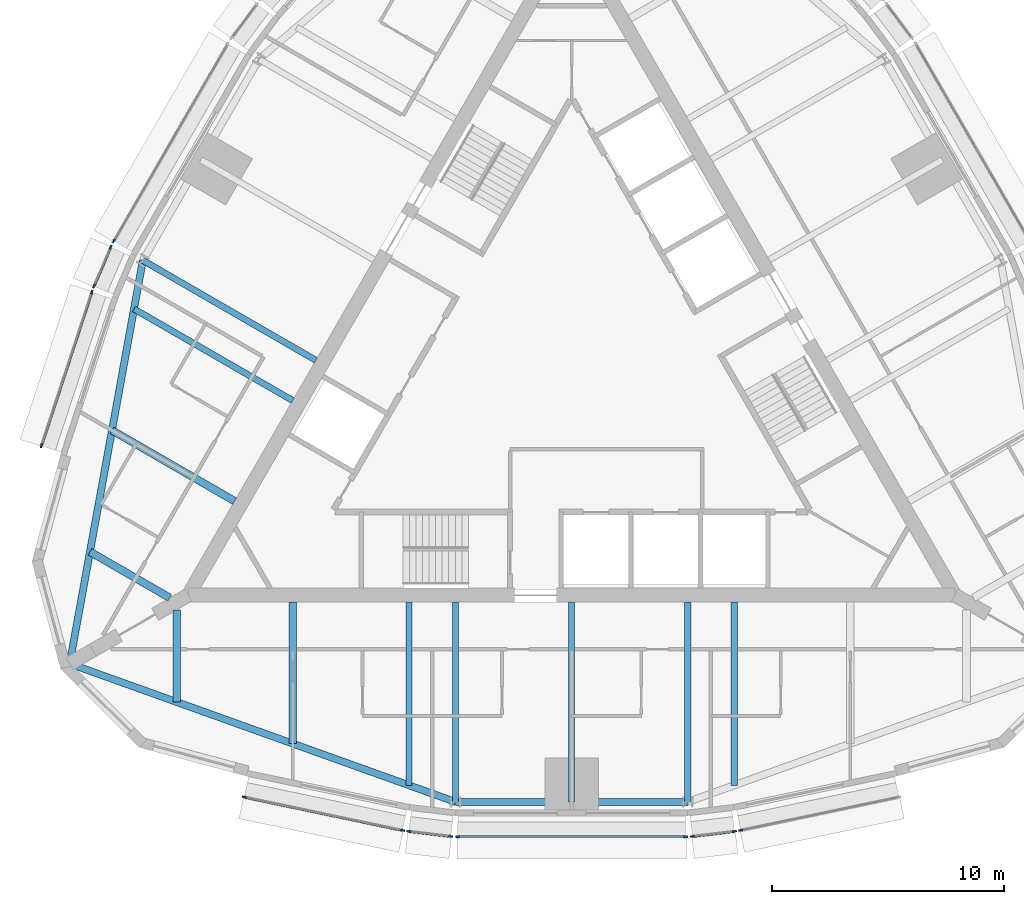
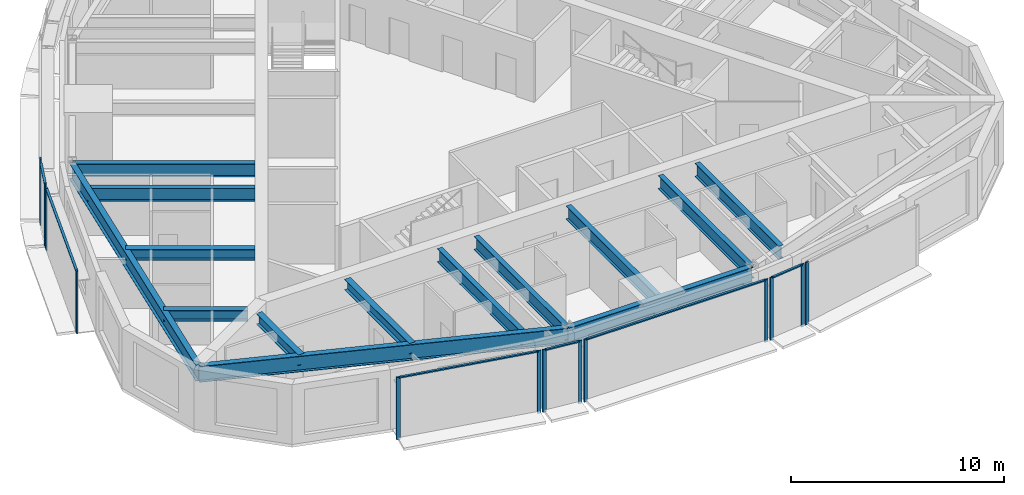
# One storey, part 2 of 12: 20 members, 14 beams, 8 elements without a shape of their own.
"""IFC4 building model written with IfcOpenShell, lengths in metres."""

from ifc_helpers import new_model, si_unit, direction, frame, origin, origin_2d, place, context, subcontext, project, spatial, rectangle, i_section, extrude, material, material_profile, profile_set, type_object, element, aggregate, save


model = new_model("IFC4")

# Units and contexts
model_context = context("Model", 3, precision=1e-05, world=origin(), true_north=direction((0.0, 1.0)))
body_context = subcontext(model_context, "Body", "Model", "MODEL_VIEW")
ifc_project = project(units=[si_unit("LENGTHUNIT", "METRE"), si_unit("AREAUNIT", "SQUARE_METRE"), si_unit("VOLUMEUNIT", "CUBIC_METRE"), si_unit("PLANEANGLEUNIT", "RADIAN"), si_unit("MASSUNIT", "GRAM", prefix="KILO")], contexts=[model_context])

# Site, building, storey
site_placement = place(None, origin())
site = spatial("IfcSite", under=ifc_project, at=site_placement, CompositionType="ELEMENT")
building_placement = place(site_placement, origin())
building = spatial("IfcBuilding", under=site, at=building_placement, Name="Trikona Tower", CompositionType="ELEMENT")
storey_placement = place(building_placement, frame((0.0, 0.0, 264.5)))
storey = spatial("IfcBuildingStorey", under=building, at=storey_placement, Name="L70", CompositionType="ELEMENT", Elevation=264.5)

# Curtain wall, members
ifc_material_1 = material(Name="Aluminium curtain wall system", Category="aluminium")
curtain_wall_type = type_object("IfcCurtainWallType", Name="Curtain wall DS3", PredefinedType="NOTDEFINED", material=ifc_material_1)
curtain_wall_1_placement = place(storey_placement, origin())
curtain_wall_1 = element("IfcCurtainWall", 1, at=curtain_wall_1_placement, inside=storey, type_object=curtain_wall_type, Name="Curtain wall DS3 L70", PredefinedType="NOTDEFINED")
ifc_material_2 = material(Name="Aluminium mullion, pale anodised", Category="aluminium")
ifc_material_profile_1 = material_profile(ifc_material_2, rectangle(XDim=0.070068359375, YDim=0.179931640625, at=origin_2d()), Name="MUL-DS3")
ifc_profile_set_1 = profile_set([ifc_material_profile_1], Name="Aluminium mullion, pale anodised")
member_type_1 = type_object("IfcMemberType", Name="Mullion DS3 70x180", PredefinedType="MULLION", material=ifc_profile_set_1)
member_1_placement = place(storey_placement, frame((-14.092041015625, -18.220703125, 0.0), z_axis=(0.0, 0.0, 1.0), x_axis=(0.205527448396, 0.978651351583, 0.0)))
member_1 = element("IfcMember", 2, at=member_1_placement, type_object=member_type_1, Name="CW-DS3 mullion 1", PredefinedType="MULLION", context=body_context, shape_type="SweptSolid", body=[
    extrude(rectangle(XDim=0.070068359375, YDim=0.179931640625, at=origin_2d()), origin(), (0.0, 0.0, 1.0), 3.60009765625),
])
member_2_placement = place(storey_placement, frame((-7.27783203125, -19.65185546875, 0.0), z_axis=(0.0, 0.0, 1.0), x_axis=(0.205527448396, 0.978651351583, 0.0)))
member_2 = element("IfcMember", 3, at=member_2_placement, type_object=member_type_1, Name="CW-DS3 mullion 2", PredefinedType="MULLION", context=body_context, shape_type="SweptSolid", body=[
    extrude(rectangle(XDim=0.070068359375, YDim=0.179931640625, at=origin_2d()), origin(), (0.0, 0.0, 1.0), 3.60009765625),
])

curtain_wall_2_placement = place(storey_placement, origin())
curtain_wall_2 = element("IfcCurtainWall", 4, at=curtain_wall_2_placement, inside=storey, type_object=curtain_wall_type, Name="Curtain wall DS3 L70", PredefinedType="NOTDEFINED")
member_3_placement = place(storey_placement, frame((-7.012939453125, -19.6953125, 0.0), z_axis=(0.0, 0.0, 1.0), x_axis=(0.119141057581, 0.992877338043, 0.0)))
member_3 = element("IfcMember", 5, at=member_3_placement, type_object=member_type_1, Name="CW-DS3 mullion 1", PredefinedType="MULLION", context=body_context, shape_type="SweptSolid", body=[
    extrude(rectangle(XDim=0.070068359375, YDim=0.179931640625, at=origin_2d()), origin(), (0.0, 0.0, 1.0), 3.60009765625),
])
member_4_placement = place(storey_placement, frame((-5.20166015625, -19.912841796875, 0.0), z_axis=(0.0, 0.0, 1.0), x_axis=(0.119141057581, 0.992877338043, 0.0)))
member_4 = element("IfcMember", 6, at=member_4_placement, type_object=member_type_1, Name="CW-DS3 mullion 2", PredefinedType="MULLION", context=body_context, shape_type="SweptSolid", body=[
    extrude(rectangle(XDim=0.070068359375, YDim=0.179931640625, at=origin_2d()), origin(), (0.0, 0.0, 1.0), 3.60009765625),
])

curtain_wall_3_placement = place(storey_placement, origin())
curtain_wall_3 = element("IfcCurtainWall", 7, at=curtain_wall_3_placement, inside=storey, type_object=curtain_wall_type, Name="Curtain wall DS3 L70", PredefinedType="NOTDEFINED")
member_5_placement = place(storey_placement, frame((-4.905029296875, -19.930419921875, 0.0), z_axis=(0.0, 0.0, 1.0), x_axis=(0.0, 1.0, 0.0)))
member_5 = element("IfcMember", 8, at=member_5_placement, type_object=member_type_1, Name="CW-DS3 mullion 1", PredefinedType="MULLION", context=body_context, shape_type="SweptSolid", body=[
    extrude(rectangle(XDim=0.070068359375, YDim=0.179931640625, at=origin_2d()), origin(), (0.0, 0.0, 1.0), 3.60009765625),
])
member_6_placement = place(storey_placement, frame((4.905029296875, -19.930419921875, 0.0), z_axis=(0.0, 0.0, 1.0), x_axis=(0.0, 1.0, 0.0)))
member_6 = element("IfcMember", 9, at=member_6_placement, type_object=member_type_1, Name="CW-DS3 mullion 2", PredefinedType="MULLION", context=body_context, shape_type="SweptSolid", body=[
    extrude(rectangle(XDim=0.070068359375, YDim=0.179931640625, at=origin_2d()), origin(), (0.0, 0.0, 1.0), 3.60009765625),
])

curtain_wall_4_placement = place(storey_placement, origin())
curtain_wall_4 = element("IfcCurtainWall", 10, at=curtain_wall_4_placement, inside=storey, type_object=curtain_wall_type, Name="Curtain wall DS3 L70", PredefinedType="NOTDEFINED")
member_7_placement = place(storey_placement, frame((5.20166015625, -19.912841796875, 0.0), z_axis=(0.0, 0.0, 1.0), x_axis=(-0.119141057581, 0.992877338043, 0.0)))
member_7 = element("IfcMember", 11, at=member_7_placement, type_object=member_type_1, Name="CW-DS3 mullion 1", PredefinedType="MULLION", context=body_context, shape_type="SweptSolid", body=[
    extrude(rectangle(XDim=0.070068359375, YDim=0.179931640625, at=origin_2d()), origin(), (0.0, 0.0, 1.0), 3.60009765625),
])
member_8_placement = place(storey_placement, frame((7.012939453125, -19.6953125, 0.0), z_axis=(0.0, 0.0, 1.0), x_axis=(-0.119141057581, 0.992877338043, 0.0)))
member_8 = element("IfcMember", 12, at=member_8_placement, type_object=member_type_1, Name="CW-DS3 mullion 2", PredefinedType="MULLION", context=body_context, shape_type="SweptSolid", body=[
    extrude(rectangle(XDim=0.070068359375, YDim=0.179931640625, at=origin_2d()), origin(), (0.0, 0.0, 1.0), 3.60009765625),
])

# Curtain wall, member
curtain_wall_5_placement = place(storey_placement, origin())
curtain_wall_5 = element("IfcCurtainWall", 13, at=curtain_wall_5_placement, inside=storey, type_object=curtain_wall_type, Name="Curtain wall DS3 L70", PredefinedType="NOTDEFINED")
member_9_placement = place(storey_placement, frame((7.27783203125, -19.65185546875, 0.0), z_axis=(0.0, 0.0, 1.0), x_axis=(-0.205527448396, 0.978651351583, 0.0)))
member_9 = element("IfcMember", 14, at=member_9_placement, type_object=member_type_1, Name="CW-DS3 mullion 1", PredefinedType="MULLION", context=body_context, shape_type="SweptSolid", body=[
    extrude(rectangle(XDim=0.070068359375, YDim=0.179931640625, at=origin_2d()), origin(), (0.0, 0.0, 1.0), 3.60009765625),
])
aggregate(curtain_wall_5, [member_9])

curtain_wall_6_placement = place(storey_placement, origin())
curtain_wall_6 = element("IfcCurtainWall", 15, at=curtain_wall_6_placement, inside=storey, type_object=curtain_wall_type, Name="Curtain wall DS3 L70", PredefinedType="NOTDEFINED")
member_10_placement = place(storey_placement, frame((-19.712890625, 5.717529296875, 0.0), z_axis=(0.0, 0.0, 1.0), x_axis=(0.866024619633, -0.500001358187, 0.0)))
member_10 = element("IfcMember", 16, at=member_10_placement, type_object=member_type_1, Name="CW-DS3 mullion 2", PredefinedType="MULLION", context=body_context, shape_type="SweptSolid", body=[
    extrude(rectangle(XDim=0.070068359375, YDim=0.179931640625, at=origin_2d()), origin(), (0.0, 0.0, 1.0), 3.60009765625),
])
aggregate(curtain_wall_6, [member_10])

# Curtain wall, members
curtain_wall_7_placement = place(storey_placement, origin())
curtain_wall_7 = element("IfcCurtainWall", 17, at=curtain_wall_7_placement, inside=storey, type_object=curtain_wall_type, Name="Curtain wall DS3 L70", PredefinedType="NOTDEFINED")
member_11_placement = place(storey_placement, frame((-19.845703125, 5.45166015625, 0.0), z_axis=(0.0, 0.0, 1.0), x_axis=(0.919420580163, -0.393275726143, 0.0)))
member_11 = element("IfcMember", 18, at=member_11_placement, type_object=member_type_1, Name="CW-DS3 mullion 1", PredefinedType="MULLION", context=body_context, shape_type="SweptSolid", body=[
    extrude(rectangle(XDim=0.070068359375, YDim=0.179931640625, at=origin_2d()), origin(), (0.0, 0.0, 1.0), 3.60009765625),
])
member_12_placement = place(storey_placement, frame((-20.563232421875, 3.7744140625, 0.0), z_axis=(0.0, 0.0, 1.0), x_axis=(0.919420580163, -0.393275726143, 0.0)))
member_12 = element("IfcMember", 19, at=member_12_placement, type_object=member_type_1, Name="CW-DS3 mullion 2", PredefinedType="MULLION", context=body_context, shape_type="SweptSolid", body=[
    extrude(rectangle(XDim=0.070068359375, YDim=0.179931640625, at=origin_2d()), origin(), (0.0, 0.0, 1.0), 3.60009765625),
])

curtain_wall_8_placement = place(storey_placement, origin())
curtain_wall_8 = element("IfcCurtainWall", 20, at=curtain_wall_8_placement, inside=storey, type_object=curtain_wall_type, Name="Curtain wall DS3 L70", PredefinedType="NOTDEFINED")
member_13_placement = place(storey_placement, frame((-20.657958984375, 3.52294921875, 0.0), z_axis=(0.0, 0.0, 1.0), x_axis=(0.95029742275, -0.311343553515, 0.0)))
member_13 = element("IfcMember", 21, at=member_13_placement, type_object=member_type_1, Name="CW-DS3 mullion 1", PredefinedType="MULLION", context=body_context, shape_type="SweptSolid", body=[
    extrude(rectangle(XDim=0.070068359375, YDim=0.179931640625, at=origin_2d()), origin(), (0.0, 0.0, 1.0), 3.60009765625),
])
member_14_placement = place(storey_placement, frame((-22.82568359375, -3.09375, 0.0), z_axis=(0.0, 0.0, 1.0), x_axis=(0.95029742275, -0.311343553515, 0.0)))
member_14 = element("IfcMember", 22, at=member_14_placement, type_object=member_type_1, Name="CW-DS3 mullion 2", PredefinedType="MULLION", context=body_context, shape_type="SweptSolid", body=[
    extrude(rectangle(XDim=0.070068359375, YDim=0.179931640625, at=origin_2d()), origin(), (0.0, 0.0, 1.0), 3.60009765625),
])

# Beams
ifc_material_3 = material(Name="Steel ASTM A992 Grade 50", Category="steel")
ifc_material_profile_2 = material_profile(ifc_material_3, i_section(OverallWidth=0.3251953125, OverallDepth=0.612060546875, WebThickness=0.0126953125, FlangeThickness=0.01904296875, at=origin_2d()), Name="W24X104")
ifc_profile_set_2 = profile_set([ifc_material_profile_2], Name="Steel ASTM A992 Grade 50")
beam_type_1 = type_object("IfcBeamType", Name="Steel beam W24x104 (wedge upper)", PredefinedType="BEAM", material=ifc_profile_set_2)
beam_1_placement = place(storey_placement, frame((-17.0, -10.161376953125, 3.12890625), z_axis=(0.0, -1.0, 0.0), x_axis=(1.0, 0.0, 0.0)))
element("IfcBeam", 23, at=beam_1_placement, inside=storey, type_object=beam_type_1, Name="Floor beam L71 F1 u-17", PredefinedType="BEAM", context=body_context, shape_type="SweptSolid", body=[
    extrude(i_section(OverallWidth=0.3251953125, OverallDepth=0.612060546875, WebThickness=0.0126953125, FlangeThickness=0.01904296875, at=origin_2d()), origin(), (0.0, 0.0, 1.0), 3.9677734375),
])
beam_2_placement = place(storey_placement, frame((-12.0, -9.826416015625, 3.12890625), z_axis=(0.0, -1.0, 0.0), x_axis=(1.0, 0.0, 0.0)))
element("IfcBeam", 24, at=beam_2_placement, inside=storey, type_object=beam_type_1, Name="Floor beam L71 F1 u-12", PredefinedType="BEAM", context=body_context, shape_type="SweptSolid", body=[
    extrude(i_section(OverallWidth=0.3251953125, OverallDepth=0.612060546875, WebThickness=0.0126953125, FlangeThickness=0.01904296875, at=origin_2d()), origin(), (0.0, 0.0, 1.0), 6.094970703125),
])
beam_3_placement = place(storey_placement, frame((-14.509765625, -5.479248046875, 3.12890625), z_axis=(-0.866023498866, 0.500003299401, 0.0), x_axis=(-0.500003299401, -0.866023498866, 0.0)))
element("IfcBeam", 25, at=beam_3_placement, inside=storey, type_object=beam_type_1, Name="Floor beam L71 F3 u12", PredefinedType="BEAM", context=body_context, shape_type="SweptSolid", body=[
    extrude(i_section(OverallWidth=0.3251953125, OverallDepth=0.612060546875, WebThickness=0.0126953125, FlangeThickness=0.01904296875, at=origin_2d()), origin(), (0.0, 0.0, 1.0), 6.09521484375),
])
beam_4_placement = place(storey_placement, frame((-17.300048828125, -9.6416015625, 3.12890625), z_axis=(-0.866030866614, 0.499990537983, 0.0), x_axis=(-0.499990537983, -0.866030866614, 0.0)))
element("IfcBeam", 26, at=beam_4_placement, inside=storey, type_object=beam_type_1, Name="Floor beam L71 F3 u17", PredefinedType="BEAM", context=body_context, shape_type="SweptSolid", body=[
    extrude(i_section(OverallWidth=0.3251953125, OverallDepth=0.612060546875, WebThickness=0.0126953125, FlangeThickness=0.01904296875, at=origin_2d()), origin(), (0.0, 0.0, 1.0), 3.9677734375),
])
ifc_material_4 = material(Name="Steel ASTM A992 Grade 50", Category="steel")
ifc_material_profile_3 = material_profile(ifc_material_4, i_section(OverallWidth=0.2666015625, OverallDepth=0.7568359375, WebThickness=0.013916015625, FlangeThickness=0.019287109375, at=origin_2d()), Name="W30X108")
ifc_profile_set_3 = profile_set([ifc_material_profile_3], Name="Steel ASTM A992 Grade 50")
beam_type_2 = type_object("IfcBeamType", Name="Steel beam W30x108 (radial upper)", PredefinedType="BEAM", material=ifc_profile_set_3)
beam_5_placement = place(storey_placement, frame((-7.0, -9.826416015625, 3.056396484375), z_axis=(0.0, -1.0, 0.0), x_axis=(1.0, 0.0, 0.0)))
element("IfcBeam", 27, at=beam_5_placement, inside=storey, type_object=beam_type_2, Name="Floor beam L71 F1 u-7", PredefinedType="BEAM", context=body_context, shape_type="SweptSolid", body=[
    extrude(i_section(OverallWidth=0.2666015625, OverallDepth=0.7568359375, WebThickness=0.013916015625, FlangeThickness=0.019287109375, at=origin_2d()), origin(), (0.0, 0.0, 1.0), 7.88720703125),
])
for number, where, z_axis, x_axis, name in (
    (28, (-5.0, -9.826416015625, 3.056396484375), (0.0, -1.0, 0.0), (1.0, 0.0, 0.0), "Floor beam L71 F1 u-5"),
    (29, (0.0, -9.826416015625, 3.056396484375), (0.0, -1.0, 0.0), (1.0, 0.0, 0.0), "Floor beam L71 F1 u0"),
    (30, (5.0, -9.826416015625, 3.056396484375), (0.0, -1.0, 0.0), (1.0, 0.0, 0.0), "Floor beam L71 F1 u5"),
):
    element("IfcBeam", number, at=place(storey_placement, frame(where, z_axis=z_axis, x_axis=x_axis)), inside=storey, type_object=beam_type_2, Name=name, PredefinedType="BEAM", context=body_context, shape_type="SweptSolid", body=[
        extrude(i_section(OverallWidth=0.2666015625, OverallDepth=0.7568359375, WebThickness=0.013916015625, FlangeThickness=0.019287109375, at=origin_2d()), origin(), (0.0, 0.0, 1.0), 8.60400390625),
    ])
beam_6_placement = place(storey_placement, frame((7.0, -9.826416015625, 3.056396484375), z_axis=(0.0, -1.0, 0.0), x_axis=(1.0, 0.0, 0.0)))
element("IfcBeam", 31, at=beam_6_placement, inside=storey, type_object=beam_type_2, Name="Floor beam L71 F1 u7", PredefinedType="BEAM", context=body_context, shape_type="SweptSolid", body=[
    extrude(i_section(OverallWidth=0.2666015625, OverallDepth=0.7568359375, WebThickness=0.013916015625, FlangeThickness=0.019287109375, at=origin_2d()), origin(), (0.0, 0.0, 1.0), 7.88720703125),
])
beam_7_placement = place(storey_placement, frame((-11.009765625, 0.5830078125, 3.056396484375), z_axis=(-0.866029182723, 0.49999345463, 0.0), x_axis=(-0.49999345463, -0.866029182723, 0.0)))
element("IfcBeam", 32, at=beam_7_placement, inside=storey, type_object=beam_type_2, Name="Floor beam L71 F3 u5", PredefinedType="BEAM", context=body_context, shape_type="SweptSolid", body=[
    extrude(i_section(OverallWidth=0.2666015625, OverallDepth=0.7568359375, WebThickness=0.013916015625, FlangeThickness=0.019287109375, at=origin_2d()), origin(), (0.0, 0.0, 1.0), 8.60400390625),
])
beam_8_placement = place(storey_placement, frame((-12.009765625, -1.14892578125, 3.056396484375), z_axis=(-0.866034560358, 0.499984140014, 0.0), x_axis=(-0.499984140014, -0.866034560358, 0.0)))
element("IfcBeam", 33, at=beam_8_placement, inside=storey, type_object=beam_type_2, Name="Floor beam L71 F3 u7", PredefinedType="BEAM", context=body_context, shape_type="SweptSolid", body=[
    extrude(i_section(OverallWidth=0.2666015625, OverallDepth=0.7568359375, WebThickness=0.013916015625, FlangeThickness=0.019287109375, at=origin_2d()), origin(), (0.0, 0.0, 1.0), 7.887451171875),
])
ifc_material_5 = material(Name="Steel ASTM A992 Grade 50", Category="steel")
ifc_material_profile_4 = material_profile(ifc_material_5, i_section(OverallWidth=0.3046875, OverallDepth=0.911865234375, WebThickness=0.015869140625, FlangeThickness=0.02392578125, at=origin_2d()), Name="W36X150")
ifc_profile_set_4 = profile_set([ifc_material_profile_4], Name="Steel ASTM A992 Grade 50")
beam_type_3 = type_object("IfcBeamType", Name="Steel beam W36x150 (spandrel upper)", PredefinedType="SPANDREL", material=ifc_profile_set_4)
beam_9_placement = place(storey_placement, frame((-21.6103515625, -12.476806640625, 2.97900390625), z_axis=(0.941358144832, -0.337409014637, 0.0), x_axis=(0.337409014637, 0.941358144832, 0.0)))
element("IfcBeam", 34, at=beam_9_placement, inside=storey, type_object=beam_type_3, Name="Spandrel beam L71 F1-1", PredefinedType="SPANDREL", context=body_context, shape_type="SweptSolid", body=[
    extrude(i_section(OverallWidth=0.3046875, OverallDepth=0.911865234375, WebThickness=0.015869140625, FlangeThickness=0.02392578125, at=origin_2d()), origin(), (0.0, 0.0, 1.0), 17.64501953125),
])
beam_10_placement = place(storey_placement, frame((-5.0, -18.430419921875, 2.97900390625), z_axis=(1.0, 0.0, 0.0), x_axis=(0.0, 1.0, 0.0)))
element("IfcBeam", 35, at=beam_10_placement, inside=storey, type_object=beam_type_3, Name="Spandrel beam L71 F1-2", PredefinedType="SPANDREL", context=body_context, shape_type="SweptSolid", body=[
    extrude(i_section(OverallWidth=0.3046875, OverallDepth=0.911865234375, WebThickness=0.015869140625, FlangeThickness=0.02392578125, at=origin_2d()), origin(), (0.0, 0.0, 1.0), 10.0),
])
beam_11_placement = place(storey_placement, frame((-18.461181640625, 4.885009765625, 2.97900390625), z_axis=(-0.178472662054, -0.983944870864, 0.0), x_axis=(0.983944870864, -0.178472662054, 0.0)))
element("IfcBeam", 36, at=beam_11_placement, inside=storey, type_object=beam_type_3, Name="Spandrel beam L71 F3-3", PredefinedType="SPANDREL", context=body_context, shape_type="SweptSolid", body=[
    extrude(i_section(OverallWidth=0.3046875, OverallDepth=0.911865234375, WebThickness=0.015869140625, FlangeThickness=0.02392578125, at=origin_2d()), origin(), (0.0, 0.0, 1.0), 17.64501953125),
])

# Member
ifc_material_6 = material(Name="Aluminium transom, pale anodised", Category="aluminium")
ifc_material_profile_5 = material_profile(ifc_material_6, rectangle(XDim=0.1201171875, YDim=0.070068359375, at=origin_2d()), Name="TRN-DS3")
ifc_profile_set_5 = profile_set([ifc_material_profile_5], Name="Aluminium transom, pale anodised")
member_type_2 = type_object("IfcMemberType", Name="Transom DS3 70x120", PredefinedType="USERDEFINED", material=ifc_profile_set_5)
member_15_placement = place(storey_placement, frame((-14.0576171875, -18.22802734375, 3.56494140625), z_axis=(0.978654137783, -0.205514181021, 0.0), x_axis=(0.205514181021, 0.978654137783, 0.0)))
member_15 = element("IfcMember", 37, at=member_15_placement, type_object=member_type_2, Name="CW-DS3 transom 1.1", ObjectType="TRANSOM", PredefinedType="USERDEFINED", context=body_context, shape_type="SweptSolid", body=[
    extrude(rectangle(XDim=0.1201171875, YDim=0.070068359375, at=origin_2d()), origin(), (0.0, 0.0, 1.0), 6.892578125),
])

aggregate(curtain_wall_1, [member_1, member_2, member_15])

member_16_placement = place(storey_placement, frame((-6.978271484375, -19.699462890625, 3.56494140625), z_axis=(0.992880130449, -0.119117784396, 0.0), x_axis=(0.119117784396, 0.992880130449, 0.0)))
member_16 = element("IfcMember", 38, at=member_16_placement, type_object=member_type_2, Name="CW-DS3 transom 1.1", ObjectType="TRANSOM", PredefinedType="USERDEFINED", context=body_context, shape_type="SweptSolid", body=[
    extrude(rectangle(XDim=0.1201171875, YDim=0.070068359375, at=origin_2d()), origin(), (0.0, 0.0, 1.0), 1.75439453125),
])

aggregate(curtain_wall_2, [member_3, member_4, member_16])

member_17_placement = place(storey_placement, frame((-4.8701171875, -19.930419921875, 3.56494140625), z_axis=(1.0, 0.0, 0.0), x_axis=(0.0, 1.0, 0.0)))
member_17 = element("IfcMember", 39, at=member_17_placement, type_object=member_type_2, Name="CW-DS3 transom 1.1", ObjectType="TRANSOM", PredefinedType="USERDEFINED", context=body_context, shape_type="SweptSolid", body=[
    extrude(rectangle(XDim=0.1201171875, YDim=0.070068359375, at=origin_2d()), origin(), (0.0, 0.0, 1.0), 9.740234375),
])

aggregate(curtain_wall_3, [member_5, member_6, member_17])

member_18_placement = place(storey_placement, frame((5.236328125, -19.908447265625, 3.56494140625), z_axis=(0.992880130449, 0.119117784396, 0.0), x_axis=(-0.119117784396, 0.992880130449, 0.0)))
member_18 = element("IfcMember", 40, at=member_18_placement, type_object=member_type_2, Name="CW-DS3 transom 1.1", ObjectType="TRANSOM", PredefinedType="USERDEFINED", context=body_context, shape_type="SweptSolid", body=[
    extrude(rectangle(XDim=0.1201171875, YDim=0.070068359375, at=origin_2d()), origin(), (0.0, 0.0, 1.0), 1.75439453125),
])

aggregate(curtain_wall_4, [member_7, member_8, member_18])

member_19_placement = place(storey_placement, frame((-19.859619140625, 5.41943359375, 3.56494140625), z_axis=(-0.393314512783, -0.919403988481, 0.0), x_axis=(0.919403988481, -0.393314512783, 0.0)))
member_19 = element("IfcMember", 41, at=member_19_placement, type_object=member_type_2, Name="CW-DS3 transom 1.1", ObjectType="TRANSOM", PredefinedType="USERDEFINED", context=body_context, shape_type="SweptSolid", body=[
    extrude(rectangle(XDim=0.1201171875, YDim=0.070068359375, at=origin_2d()), origin(), (0.0, 0.0, 1.0), 1.754150390625),
])

aggregate(curtain_wall_7, [member_11, member_12, member_19])

member_20_placement = place(storey_placement, frame((-20.668701171875, 3.48974609375, 3.56494140625), z_axis=(-0.311346184, -0.950296560926, 0.0), x_axis=(0.950296560926, -0.311346184, 0.0)))
member_20 = element("IfcMember", 42, at=member_20_placement, type_object=member_type_2, Name="CW-DS3 transom 1.1", ObjectType="TRANSOM", PredefinedType="USERDEFINED", context=body_context, shape_type="SweptSolid", body=[
    extrude(rectangle(XDim=0.1201171875, YDim=0.070068359375, at=origin_2d()), origin(), (0.0, 0.0, 1.0), 6.892578125),
])

aggregate(curtain_wall_8, [member_13, member_14, member_20])

save(model, "model.ifc")
